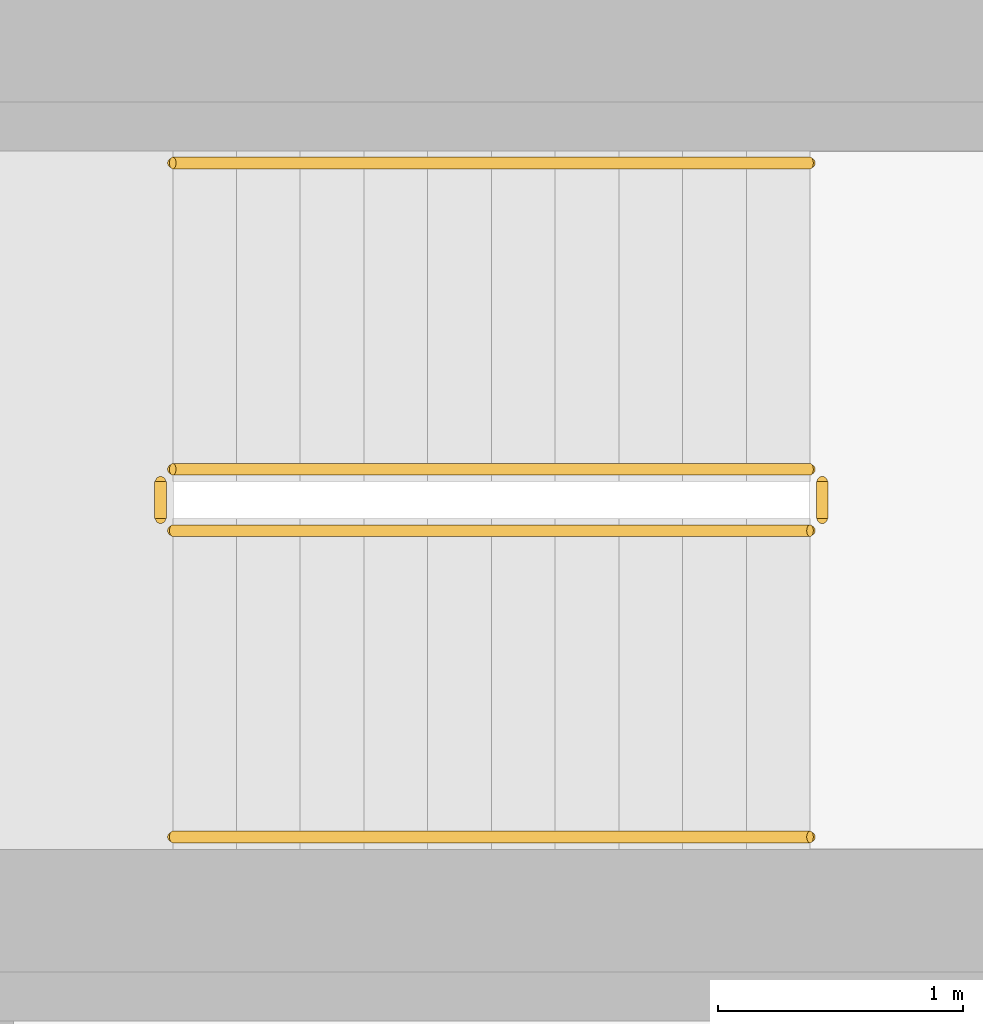
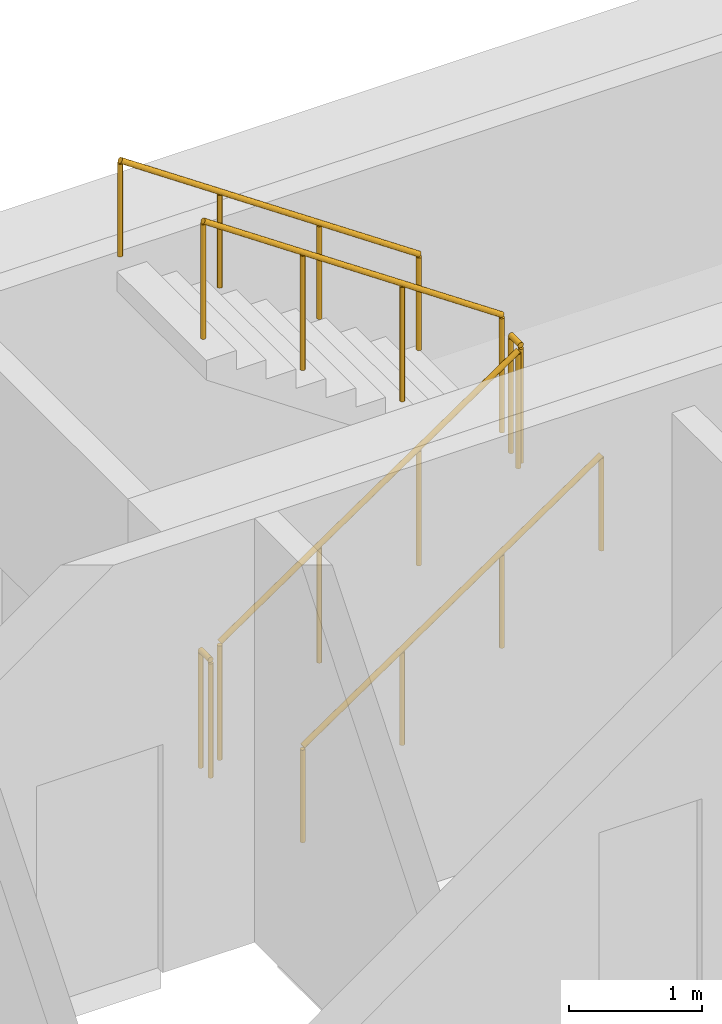
# One storey, part 8 of 8: 6 railings.
"""IFC4 building model written with IfcOpenShell, lengths in metres."""

from ifc_helpers import new_model, si_unit, direction, frame, origin, origin_2d, place, context, subcontext, project, spatial, circle, extrude, material, type_object, element, save


model = new_model("IFC4")

# Units and contexts
model_context = context("Model", 3, precision=1e-05, world=origin(), true_north=direction((0.0, 1.0)))
body_context = subcontext(model_context, "Body", "Model", "MODEL_VIEW")
ifc_project = project(units=[si_unit("LENGTHUNIT", "METRE"), si_unit("AREAUNIT", "SQUARE_METRE"), si_unit("VOLUMEUNIT", "CUBIC_METRE"), si_unit("PLANEANGLEUNIT", "RADIAN"), si_unit("MASSUNIT", "GRAM", prefix="KILO")], contexts=[model_context])

# Site, building, storey
site_placement = place(None, origin())
site = spatial("IfcSite", under=ifc_project, at=site_placement, CompositionType="ELEMENT")
building_placement = place(site_placement, origin())
building = spatial("IfcBuilding", under=site, at=building_placement, Name="White Candle Pilgrim Tower", CompositionType="ELEMENT")
storey_placement = place(building_placement, frame((0.0, 0.0, 263.89990234375)))
storey = spatial("IfcBuildingStorey", under=building, at=storey_placement, Name="L62", CompositionType="ELEMENT", Elevation=263.89990234375)

# Railings
ifc_material = material(Name="Stainless steel", Category="steel")
railing_type_1 = type_object("IfcRailingType", Name="Stair guard stainless steel 1100 mm", PredefinedType="GUARDRAIL", material=ifc_material)
railing_1_placement = place(storey_placement, frame((69.39990234375, 85.550048828125, 0.177490234375)))
element("IfcRailing", 1, at=railing_1_placement, inside=storey, type_object=railing_type_1, Name="L62 ST3 stair guard 1", PredefinedType="GUARDRAIL", context=body_context, shape_type="SweptSolid", body=[
    extrude(circle(Radius=0.02392578125, at=origin_2d()), frame((0.0, 0.0, 1.076171875), z_axis=(0.826240473404, 0.0, 0.563317565952), x_axis=(0.0, 1.0, 0.0)), (0.0, 0.0, 1.0), 3.14697265625),
    extrude(circle(Radius=0.02099609375, at=origin_2d()), origin(), (0.0, 0.0, 1.0), 1.052001953125),
    extrude(circle(Radius=0.02099609375, at=origin_2d()), frame((0.86669921875, 0.0, 0.5908203125)), (0.0, 0.0, 1.0), 1.052001953125),
    extrude(circle(Radius=0.02099609375, at=origin_2d()), frame((1.7333984375, 0.0, 1.181884765625)), (0.0, 0.0, 1.0), 1.052001953125),
    extrude(circle(Radius=0.02099609375, at=origin_2d()), frame((2.60009765625, 0.0, 1.772705078125)), (0.0, 0.0, 1.0), 1.052001953125),
])
railing_2_placement = place(storey_placement, frame((72.050048828125, 85.60009765625, 1.9501953125)))
element("IfcRailing", 2, at=railing_2_placement, inside=storey, type_object=railing_type_1, Name="L62 ST3 stair guard 2", PredefinedType="GUARDRAIL", context=body_context, shape_type="SweptSolid", body=[
    extrude(circle(Radius=0.02392578125, at=origin_2d()), frame((0.0, 0.0, 1.076171875), z_axis=(0.0, 1.0, 0.0), x_axis=(-1.0, 0.0, 0.0)), (0.0, 0.0, 1.0), 0.14990234375),
    extrude(circle(Radius=0.02099609375, at=origin_2d()), origin(), (0.0, 0.0, 1.0), 1.052001953125),
    extrude(circle(Radius=0.02099609375, at=origin_2d()), frame((0.0, 0.14990234375, 0.0)), (0.0, 0.0, 1.0), 1.052001953125),
])
railing_3_placement = place(storey_placement, frame((72.0, 85.800048828125, 2.12744140625)))
element("IfcRailing", 3, at=railing_3_placement, inside=storey, type_object=railing_type_1, Name="L62 ST3 stair guard 3", PredefinedType="GUARDRAIL", context=body_context, shape_type="SweptSolid", body=[
    extrude(circle(Radius=0.02392578125, at=origin_2d()), frame((0.0, 0.0, 1.076171875), z_axis=(-0.826240473404, 0.0, 0.563317565952), x_axis=(0.0, -1.0, 0.0)), (0.0, 0.0, 1.0), 3.14697265625),
    extrude(circle(Radius=0.02099609375, at=origin_2d()), origin(), (0.0, 0.0, 1.0), 1.052001953125),
    extrude(circle(Radius=0.02099609375, at=origin_2d()), frame((-0.86669921875, 0.0, 0.5908203125)), (0.0, 0.0, 1.0), 1.052001953125),
    extrude(circle(Radius=0.02099609375, at=origin_2d()), frame((-1.7333984375, 0.0, 1.181884765625)), (0.0, 0.0, 1.0), 1.052001953125),
    extrude(circle(Radius=0.02099609375, at=origin_2d()), frame((-2.60009765625, 0.0, 1.772705078125)), (0.0, 0.0, 1.0), 1.052001953125),
])
railing_4_placement = place(storey_placement, frame((69.35009765625, 85.60009765625, 0.0)))
element("IfcRailing", 4, at=railing_4_placement, inside=storey, type_object=railing_type_1, Name="L62 ST3 stair guard 4", PredefinedType="GUARDRAIL", context=body_context, shape_type="SweptSolid", body=[
    extrude(circle(Radius=0.02392578125, at=origin_2d()), frame((0.0, 0.0, 1.076171875), z_axis=(0.0, 1.0, 0.0), x_axis=(-1.0, 0.0, 0.0)), (0.0, 0.0, 1.0), 0.14990234375),
    extrude(circle(Radius=0.02099609375, at=origin_2d()), origin(), (0.0, 0.0, 1.0), 1.052001953125),
    extrude(circle(Radius=0.02099609375, at=origin_2d()), frame((0.0, 0.14990234375, 0.0)), (0.0, 0.0, 1.0), 1.052001953125),
])
railing_type_2 = type_object("IfcRailingType", Name="Stair handrail stainless steel", PredefinedType="HANDRAIL", material=ifc_material)
railing_5_placement = place(storey_placement, frame((69.39990234375, 84.300048828125, 0.177490234375)))
element("IfcRailing", 5, at=railing_5_placement, inside=storey, type_object=railing_type_2, Name="L62 ST3 stair handrail 1", PredefinedType="HANDRAIL", context=body_context, shape_type="SweptSolid", body=[
    extrude(circle(Radius=0.02392578125, at=origin_2d()), frame((0.0, 0.0, 0.8759765625), z_axis=(0.826240473404, 0.0, 0.563317565952), x_axis=(0.0, 1.0, 0.0)), (0.0, 0.0, 1.0), 3.14697265625),
    extrude(circle(Radius=0.02099609375, at=origin_2d()), origin(), (0.0, 0.0, 1.0), 0.851806640625),
    extrude(circle(Radius=0.02099609375, at=origin_2d()), frame((0.86669921875, 0.0, 0.5908203125)), (0.0, 0.0, 1.0), 0.851806640625),
    extrude(circle(Radius=0.02099609375, at=origin_2d()), frame((1.7333984375, 0.0, 1.181884765625)), (0.0, 0.0, 1.0), 0.851806640625),
    extrude(circle(Radius=0.02099609375, at=origin_2d()), frame((2.60009765625, 0.0, 1.772705078125)), (0.0, 0.0, 1.0), 0.851806640625),
])
railing_6_placement = place(storey_placement, frame((72.0, 87.050048828125, 2.12744140625)))
element("IfcRailing", 6, at=railing_6_placement, inside=storey, type_object=railing_type_2, Name="L62 ST3 stair handrail 2", PredefinedType="HANDRAIL", context=body_context, shape_type="SweptSolid", body=[
    extrude(circle(Radius=0.02392578125, at=origin_2d()), frame((0.0, 0.0, 0.8759765625), z_axis=(-0.826240473404, 0.0, 0.563317565952), x_axis=(0.0, -1.0, 0.0)), (0.0, 0.0, 1.0), 3.14697265625),
    extrude(circle(Radius=0.02099609375, at=origin_2d()), origin(), (0.0, 0.0, 1.0), 0.851806640625),
    extrude(circle(Radius=0.02099609375, at=origin_2d()), frame((-0.86669921875, 0.0, 0.5908203125)), (0.0, 0.0, 1.0), 0.851806640625),
    extrude(circle(Radius=0.02099609375, at=origin_2d()), frame((-1.7333984375, 0.0, 1.181884765625)), (0.0, 0.0, 1.0), 0.851806640625),
    extrude(circle(Radius=0.02099609375, at=origin_2d()), frame((-2.60009765625, 0.0, 1.772705078125)), (0.0, 0.0, 1.0), 0.851806640625),
])

save(model, "model.ifc")
